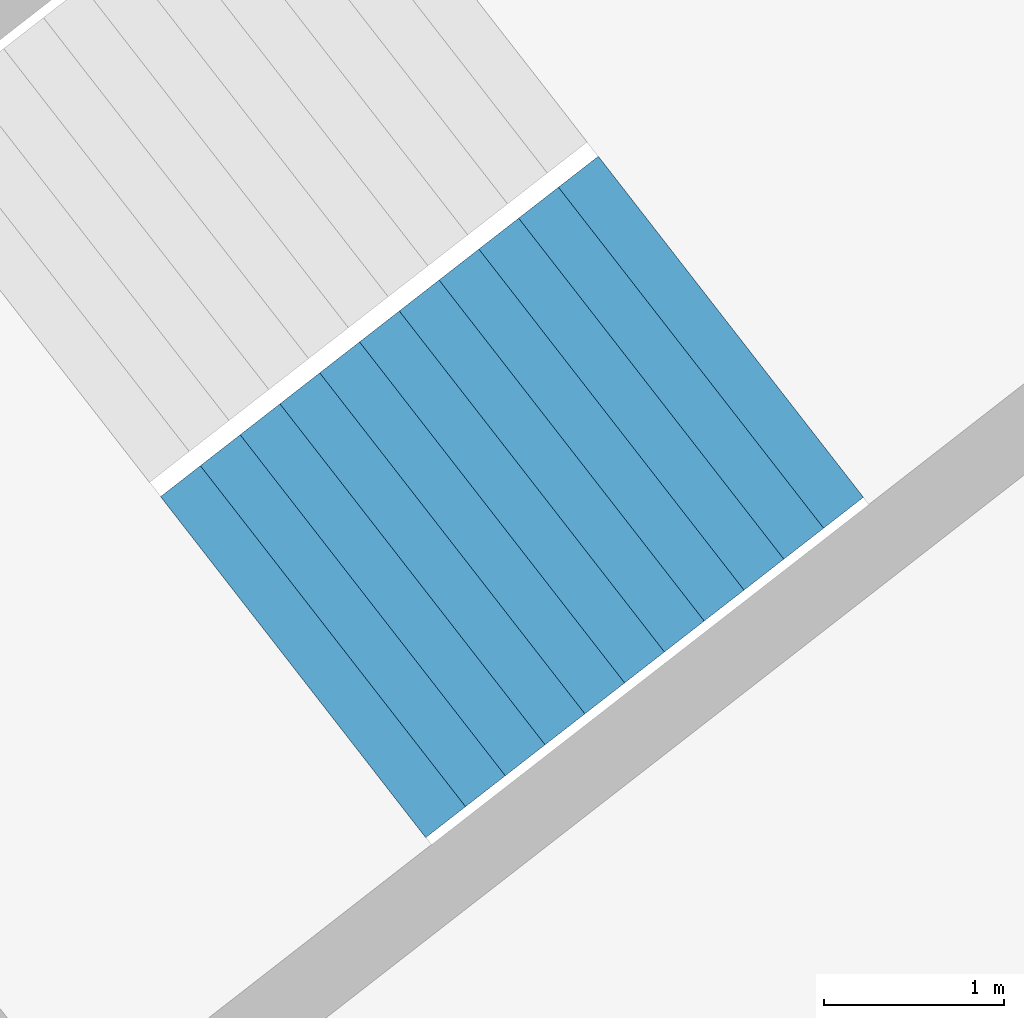
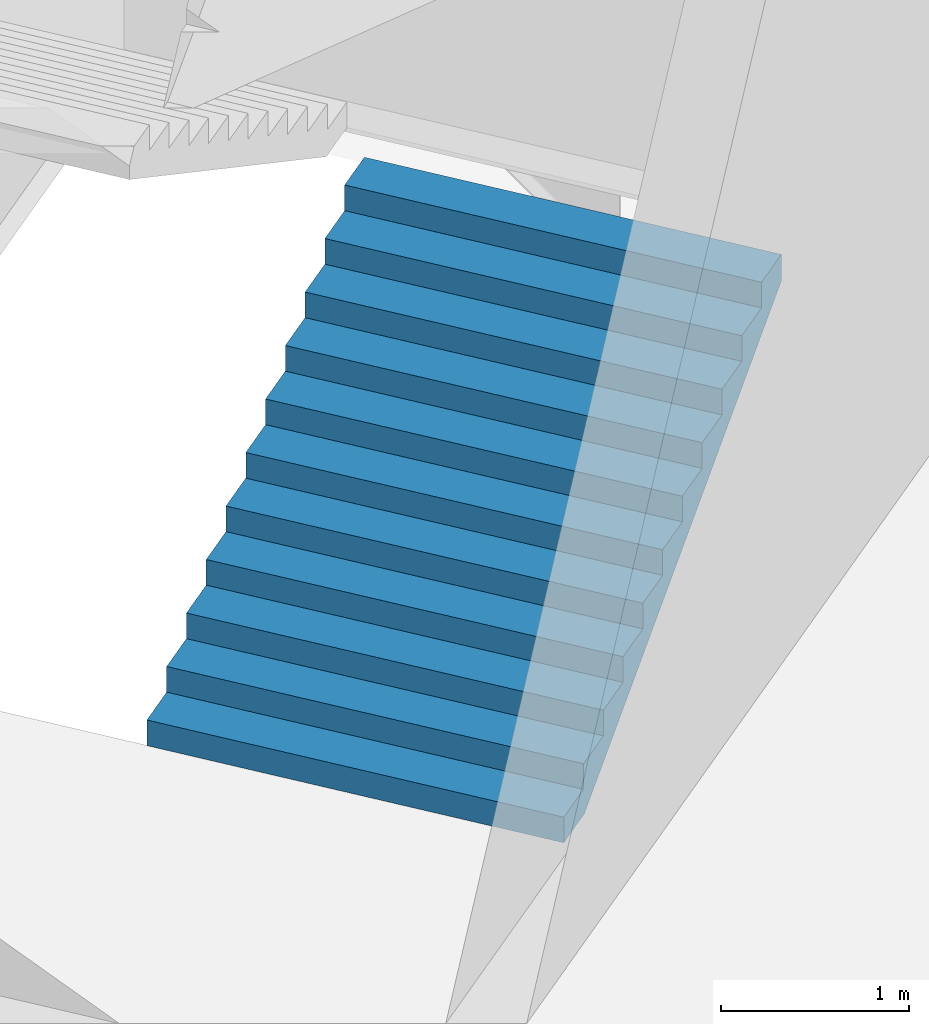
# One storey, part 62 of 74: 1 stair flight, 1 element without a shape of its own.
"""IFC4 building model written with IfcOpenShell, lengths in metres."""

from ifc_helpers import new_model, si_unit, direction, frame, origin, place, context, subcontext, project, spatial, triangles, material, type_object, element, aggregate, save


model = new_model("IFC4")

# Units and contexts
model_context = context("Model", 3, precision=1e-05, world=origin(), true_north=direction((0.0, 1.0)))
body_context = subcontext(model_context, "Body", "Model", "MODEL_VIEW")
ifc_project = project(units=[si_unit("LENGTHUNIT", "METRE"), si_unit("AREAUNIT", "SQUARE_METRE"), si_unit("VOLUMEUNIT", "CUBIC_METRE"), si_unit("PLANEANGLEUNIT", "RADIAN"), si_unit("MASSUNIT", "GRAM", prefix="KILO")], contexts=[model_context])

# Site, building, storey
site_placement = place(None, origin())
site = spatial("IfcSite", under=ifc_project, at=site_placement, CompositionType="ELEMENT")
building_placement = place(site_placement, origin())
building = spatial("IfcBuilding", under=site, at=building_placement, Name="Lantaw Convention Tower", CompositionType="ELEMENT")
storey_placement = place(building_placement, frame((0.0, 0.0, 6.5)))
storey = spatial("IfcBuildingStorey", under=building, at=storey_placement, Name="L01", CompositionType="ELEMENT", Elevation=6.5)

# Stair, stair flight
ifc_material = material(Name="Concrete C35/45", Category="concrete")
stair_type = type_object("IfcStairType", Name="Exit stair 2400 riser 166.67 in 4 flights", PredefinedType="HALF_TURN_STAIR", material=ifc_material)
stair_placement = place(storey_placement, origin())
stair = element("IfcStair", 1, at=stair_placement, inside=storey, type_object=stair_type, Name="Podium exit stair P3 L01", PredefinedType="HALF_TURN_STAIR")
stair_flight_type = type_object("IfcStairFlightType", Name="Stair flight 2400 riser 166.67", PredefinedType="STRAIGHT", material=ifc_material)
stair_flight_placement = place(storey_placement, frame((29.494384765625, 21.3544921875, 0.0), z_axis=(0.0, 0.0, 1.0), x_axis=(0.789378829664, 0.613906396186, 0.0)))
stair_flight = element("IfcStairFlight", 2, at=stair_flight_placement, type_object=stair_flight_type, Name="P3 flight 1", NumberOfRisers=12, NumberOfTreads=11, PredefinedType="STRAIGHT", RiserHeight=0.166666667, TreadLength=0.28, context=body_context, shape_type="Tessellation", body=[
    triangles([(0.0, 1.199951171875, 0.0), (0.0, 1.199951171875, 0.166666667), (0.28, 1.199951171875, 0.0), (0.28, 1.199951171875, 0.166666667), (0.28, 1.199951171875, 0.333333334), (0.29307345806906726, 1.199951171875, 0.0), (0.29307345806906726, 1.199951171875, 0.333333334), (0.56, 1.199951171875, 0.15888484670522965), (0.56, 1.199951171875, 0.333333334), (0.56, 1.199951171875, 0.500000001), (0.8400000000000001, 1.199951171875, 0.3255515137052296), (0.8400000000000001, 1.199951171875, 0.500000001), (0.8400000000000001, 1.199951171875, 0.666666668), (1.12, 1.199951171875, 0.4922181807052296), (1.12, 1.199951171875, 0.666666668), (1.12, 1.199951171875, 0.833333335), (1.4000000000000001, 1.199951171875, 0.6588848477052296), (1.4000000000000001, 1.199951171875, 0.833333335), (1.4000000000000001, 1.199951171875, 1.000000002), (1.6800000000000002, 1.199951171875, 0.8255515147052296), (1.6800000000000002, 1.199951171875, 1.000000002), (1.6800000000000002, 1.199951171875, 1.166666669), (1.9600000000000002, 1.199951171875, 0.9922181817052296), (1.9600000000000002, 1.199951171875, 1.166666669), (1.9600000000000002, 1.199951171875, 1.333333336), (2.24, 1.199951171875, 1.1588848487052295), (2.24, 1.199951171875, 1.333333336), (2.24, 1.199951171875, 1.5000000029999998), (2.5200000000000005, 1.199951171875, 1.3255515157052296), (2.5200000000000005, 1.199951171875, 1.5000000029999998), (2.5200000000000005, 1.199951171875, 1.66666667), (2.8000000000000003, 1.199951171875, 1.4922181827052294), (2.8000000000000003, 1.199951171875, 1.66666667), (2.8000000000000003, 1.199951171875, 1.833333337), (3.08, 1.199951171875, 1.6588848497052293), (3.08, 1.199951171875, 1.833333337), (0.0, -1.199951171875, 0.0), (0.0, -1.199951171875, 0.166666667), (0.28, -1.199951171875, 0.0), (0.28, -1.199951171875, 0.166666667), (0.28, -1.199951171875, 0.333333334), (0.29307345806906726, -1.199951171875, 0.0), (0.29307345806906726, -1.199951171875, 0.333333334), (0.56, -1.199951171875, 0.15888484670522965), (0.56, -1.199951171875, 0.333333334), (0.56, -1.199951171875, 0.500000001), (0.8400000000000001, -1.199951171875, 0.3255515137052296), (0.8400000000000001, -1.199951171875, 0.500000001), (0.8400000000000001, -1.199951171875, 0.666666668), (1.12, -1.199951171875, 0.4922181807052296), (1.12, -1.199951171875, 0.666666668), (1.12, -1.199951171875, 0.833333335), (1.4000000000000001, -1.199951171875, 0.6588848477052296), (1.4000000000000001, -1.199951171875, 0.833333335), (1.4000000000000001, -1.199951171875, 1.000000002), (1.6800000000000002, -1.199951171875, 0.8255515147052296), (1.6800000000000002, -1.199951171875, 1.000000002), (1.6800000000000002, -1.199951171875, 1.166666669), (1.9600000000000002, -1.199951171875, 0.9922181817052296), (1.9600000000000002, -1.199951171875, 1.166666669), (1.9600000000000002, -1.199951171875, 1.333333336), (2.24, -1.199951171875, 1.1588848487052295), (2.24, -1.199951171875, 1.333333336), (2.24, -1.199951171875, 1.5000000029999998), (2.5200000000000005, -1.199951171875, 1.3255515157052296), (2.5200000000000005, -1.199951171875, 1.5000000029999998), (2.5200000000000005, -1.199951171875, 1.66666667), (2.8000000000000003, -1.199951171875, 1.4922181827052294), (2.8000000000000003, -1.199951171875, 1.66666667), (2.8000000000000003, -1.199951171875, 1.833333337), (3.08, -1.199951171875, 1.6588848497052293), (3.08, -1.199951171875, 1.833333337), (0.0, 0.239990234375, 0.166666667), (0.0, 0.239990234375, 0.0), (0.0, 0.1199951171875, 0.166666667), (0.0, 0.1199951171875, 0.0), (0.0, 0.0, 0.166666667), (0.0, 0.0, 0.0), (0.0, -0.1199951171875, 0.166666667), (0.0, -0.1199951171875, 0.0), (0.0, -0.239990234375, 0.166666667), (0.0, -0.239990234375, 0.0), (0.28, 0.239990234375, 0.333333334), (0.28, 0.239990234375, 0.166666667), (0.28, 0.1199951171875, 0.333333334), (0.28, 0.1199951171875, 0.166666667), (0.28, 0.0, 0.333333334), (0.28, 0.0, 0.166666667), (0.28, -0.1199951171875, 0.333333334), (0.28, -0.1199951171875, 0.166666667), (0.28, -0.239990234375, 0.333333334), (0.28, -0.239990234375, 0.166666667), (0.56, 0.239990234375, 0.500000001), (0.56, 0.239990234375, 0.333333334), (0.56, 0.1199951171875, 0.500000001), (0.56, 0.1199951171875, 0.333333334), (0.56, 0.0, 0.500000001), (0.56, 0.0, 0.333333334), (0.56, -0.1199951171875, 0.500000001), (0.56, -0.1199951171875, 0.333333334), (0.56, -0.239990234375, 0.500000001), (0.56, -0.239990234375, 0.333333334), (0.8400000000000001, 0.239990234375, 0.666666668), (0.8400000000000001, 0.239990234375, 0.500000001), (0.8400000000000001, 0.1199951171875, 0.666666668), (0.8400000000000001, 0.1199951171875, 0.500000001), (0.8400000000000001, 0.0, 0.666666668), (0.8400000000000001, 0.0, 0.500000001), (0.8400000000000001, -0.1199951171875, 0.666666668), (0.8400000000000001, -0.1199951171875, 0.500000001), (0.8400000000000001, -0.239990234375, 0.666666668), (0.8400000000000001, -0.239990234375, 0.500000001), (1.12, 0.239990234375, 0.833333335), (1.12, 0.239990234375, 0.666666668), (1.12, 0.1199951171875, 0.833333335), (1.12, 0.1199951171875, 0.666666668), (1.12, 0.0, 0.833333335), (1.12, 0.0, 0.666666668), (1.12, -0.1199951171875, 0.833333335), (1.12, -0.1199951171875, 0.666666668), (1.12, -0.239990234375, 0.833333335), (1.12, -0.239990234375, 0.666666668), (1.4000000000000001, 0.239990234375, 1.000000002), (1.4000000000000001, 0.239990234375, 0.833333335), (1.4000000000000001, 0.1199951171875, 1.000000002), (1.4000000000000001, 0.1199951171875, 0.833333335), (1.4000000000000001, 0.0, 1.000000002), (1.4000000000000001, 0.0, 0.833333335), (1.4000000000000001, -0.1199951171875, 1.000000002), (1.4000000000000001, -0.1199951171875, 0.833333335), (1.4000000000000001, -0.239990234375, 1.000000002), (1.4000000000000001, -0.239990234375, 0.833333335), (1.6800000000000002, 0.239990234375, 1.166666669), (1.6800000000000002, 0.239990234375, 1.000000002), (1.6800000000000002, 0.1199951171875, 1.166666669), (1.6800000000000002, 0.1199951171875, 1.000000002), (1.6800000000000002, 0.0, 1.166666669), (1.6800000000000002, 0.0, 1.000000002), (1.6800000000000002, -0.1199951171875, 1.166666669), (1.6800000000000002, -0.1199951171875, 1.000000002), (1.6800000000000002, -0.239990234375, 1.166666669), (1.6800000000000002, -0.239990234375, 1.000000002), (1.9600000000000002, 0.239990234375, 1.333333336), (1.9600000000000002, 0.239990234375, 1.166666669), (1.9600000000000002, 0.1199951171875, 1.333333336), (1.9600000000000002, 0.1199951171875, 1.166666669), (1.9600000000000002, 0.0, 1.333333336), (1.9600000000000002, 0.0, 1.166666669), (1.9600000000000002, -0.1199951171875, 1.333333336), (1.9600000000000002, -0.1199951171875, 1.166666669), (1.9600000000000002, -0.239990234375, 1.333333336), (1.9600000000000002, -0.239990234375, 1.166666669), (2.24, 0.239990234375, 1.5000000029999998), (2.24, 0.239990234375, 1.333333336), (2.24, 0.1199951171875, 1.5000000029999998), (2.24, 0.1199951171875, 1.333333336), (2.24, 0.0, 1.5000000029999998), (2.24, 0.0, 1.333333336), (2.24, -0.1199951171875, 1.5000000029999998), (2.24, -0.1199951171875, 1.333333336), (2.24, -0.239990234375, 1.5000000029999998), (2.24, -0.239990234375, 1.333333336), (2.5200000000000005, 0.239990234375, 1.66666667), (2.5200000000000005, 0.239990234375, 1.5000000029999998), (2.5200000000000005, 0.1199951171875, 1.66666667), (2.5200000000000005, 0.1199951171875, 1.5000000029999998), (2.5200000000000005, 0.0, 1.66666667), (2.5200000000000005, 0.0, 1.5000000029999998), (2.5200000000000005, -0.1199951171875, 1.66666667), (2.5200000000000005, -0.1199951171875, 1.5000000029999998), (2.5200000000000005, -0.239990234375, 1.66666667), (2.5200000000000005, -0.239990234375, 1.5000000029999998), (2.8000000000000003, 0.239990234375, 1.833333337), (2.8000000000000003, 0.239990234375, 1.66666667), (2.8000000000000003, 0.1199951171875, 1.833333337), (2.8000000000000003, 0.1199951171875, 1.66666667), (2.8000000000000003, 0.0, 1.833333337), (2.8000000000000003, 0.0, 1.66666667), (2.8000000000000003, -0.1199951171875, 1.833333337), (2.8000000000000003, -0.1199951171875, 1.66666667), (2.8000000000000003, -0.239990234375, 1.833333337), (2.8000000000000003, -0.239990234375, 1.66666667), (0.29307345806906726, 0.239990234375, 0.333333334), (0.29307345806906726, 0.1199951171875, 0.333333334), (0.29307345806906726, 0.0, 0.333333334), (0.29307345806906726, -0.1199951171875, 0.333333334), (0.29307345806906726, -0.239990234375, 0.333333334), (3.08, 0.239990234375, 1.833333337), (3.08, 0.1199951171875, 1.833333337), (3.08, 0.0, 1.833333337), (3.08, -0.1199951171875, 1.833333337), (3.08, -0.239990234375, 1.833333337), (3.08, 0.239990234375, 1.6588848497052293), (3.08, 0.1199951171875, 1.6588848497052293), (3.08, 0.0, 1.6588848497052293), (3.08, -0.1199951171875, 1.6588848497052293), (3.08, -0.239990234375, 1.6588848497052293), (2.8000000000000003, 0.239990234375, 1.4922181827052294), (2.8000000000000003, 0.1199951171875, 1.4922181827052294), (2.8000000000000003, 0.0, 1.4922181827052294), (2.8000000000000003, -0.1199951171875, 1.4922181827052294), (2.8000000000000003, -0.239990234375, 1.4922181827052294), (2.5200000000000005, 0.239990234375, 1.3255515157052296), (2.5200000000000005, 0.1199951171875, 1.3255515157052296), (2.5200000000000005, 0.0, 1.3255515157052296), (2.5200000000000005, -0.1199951171875, 1.3255515157052296), (2.5200000000000005, -0.239990234375, 1.3255515157052296), (2.24, 0.239990234375, 1.1588848487052295), (2.24, 0.1199951171875, 1.1588848487052295), (2.24, 0.0, 1.1588848487052295), (2.24, -0.1199951171875, 1.1588848487052295), (2.24, -0.239990234375, 1.1588848487052295), (1.9600000000000002, 0.239990234375, 0.9922181817052296), (1.9600000000000002, 0.1199951171875, 0.9922181817052296), (1.9600000000000002, 0.0, 0.9922181817052296), (1.9600000000000002, -0.1199951171875, 0.9922181817052296), (1.9600000000000002, -0.239990234375, 0.9922181817052296), (1.6800000000000002, 0.239990234375, 0.8255515147052296), (1.6800000000000002, 0.1199951171875, 0.8255515147052296), (1.6800000000000002, 0.0, 0.8255515147052296), (1.6800000000000002, -0.1199951171875, 0.8255515147052296), (1.6800000000000002, -0.239990234375, 0.8255515147052296), (1.4000000000000001, 0.239990234375, 0.6588848477052296), (1.4000000000000001, 0.1199951171875, 0.6588848477052296), (1.4000000000000001, 0.0, 0.6588848477052296), (1.4000000000000001, -0.1199951171875, 0.6588848477052296), (1.4000000000000001, -0.239990234375, 0.6588848477052296), (1.12, 0.239990234375, 0.4922181807052296), (1.12, 0.1199951171875, 0.4922181807052296), (1.12, 0.0, 0.4922181807052296), (1.12, -0.1199951171875, 0.4922181807052296), (1.12, -0.239990234375, 0.4922181807052296), (0.8400000000000001, 0.239990234375, 0.3255515137052296), (0.8400000000000001, 0.1199951171875, 0.3255515137052296), (0.8400000000000001, 0.0, 0.3255515137052296), (0.8400000000000001, -0.1199951171875, 0.3255515137052296), (0.8400000000000001, -0.239990234375, 0.3255515137052296), (0.56, 0.239990234375, 0.15888484670522965), (0.56, 0.1199951171875, 0.15888484670522965), (0.56, 0.0, 0.15888484670522965), (0.56, -0.1199951171875, 0.15888484670522965), (0.56, -0.239990234375, 0.15888484670522965), (0.29307345806906726, 0.239990234375, 0.0), (0.29307345806906726, 0.1199951171875, 0.0), (0.29307345806906726, 0.0, 0.0), (0.29307345806906726, -0.1199951171875, 0.0), (0.29307345806906726, -0.239990234375, 0.0), (0.28, 0.239990234375, 0.0), (0.28, 0.1199951171875, 0.0), (0.28, 0.0, 0.0), (0.28, -0.1199951171875, 0.0), (0.28, -0.239990234375, 0.0)], [[1, 4, 3], [1, 2, 4], [3, 4, 6], [4, 7, 6], [4, 5, 7], [6, 9, 8], [6, 7, 9], [8, 9, 11], [9, 12, 11], [9, 10, 12], [11, 12, 14], [12, 15, 14], [12, 13, 15], [14, 15, 17], [15, 18, 17], [15, 16, 18], [17, 18, 20], [18, 21, 20], [18, 19, 21], [20, 21, 23], [21, 24, 23], [21, 22, 24], [23, 24, 26], [24, 27, 26], [24, 25, 27], [26, 27, 29], [27, 30, 29], [27, 28, 30], [29, 30, 32], [30, 33, 32], [30, 31, 33], [32, 33, 35], [33, 36, 35], [33, 34, 36], [37, 39, 40], [37, 40, 38], [39, 42, 40], [40, 42, 43], [40, 43, 41], [42, 44, 45], [42, 45, 43], [44, 47, 45], [45, 47, 48], [45, 48, 46], [47, 50, 48], [48, 50, 51], [48, 51, 49], [50, 53, 51], [51, 53, 54], [51, 54, 52], [53, 56, 54], [54, 56, 57], [54, 57, 55], [56, 59, 57], [57, 59, 60], [57, 60, 58], [59, 62, 60], [60, 62, 63], [60, 63, 61], [62, 65, 63], [63, 65, 66], [63, 66, 64], [65, 68, 66], [66, 68, 69], [66, 69, 67], [68, 71, 69], [69, 71, 72], [69, 72, 70], [1, 73, 2], [1, 74, 73], [74, 75, 73], [74, 76, 75], [76, 77, 75], [76, 78, 77], [78, 79, 77], [78, 80, 79], [80, 81, 79], [80, 82, 81], [82, 38, 81], [82, 37, 38], [4, 83, 5], [4, 84, 83], [84, 85, 83], [84, 86, 85], [86, 87, 85], [86, 88, 87], [88, 89, 87], [88, 90, 89], [90, 91, 89], [90, 92, 91], [92, 41, 91], [92, 40, 41], [9, 93, 10], [9, 94, 93], [94, 95, 93], [94, 96, 95], [96, 97, 95], [96, 98, 97], [98, 99, 97], [98, 100, 99], [100, 101, 99], [100, 102, 101], [102, 46, 101], [102, 45, 46], [12, 103, 13], [12, 104, 103], [104, 105, 103], [104, 106, 105], [106, 107, 105], [106, 108, 107], [108, 109, 107], [108, 110, 109], [110, 111, 109], [110, 112, 111], [112, 49, 111], [112, 48, 49], [15, 113, 16], [15, 114, 113], [114, 115, 113], [114, 116, 115], [116, 117, 115], [116, 118, 117], [118, 119, 117], [118, 120, 119], [120, 121, 119], [120, 122, 121], [122, 52, 121], [122, 51, 52], [18, 123, 19], [18, 124, 123], [124, 125, 123], [124, 126, 125], [126, 127, 125], [126, 128, 127], [128, 129, 127], [128, 130, 129], [130, 131, 129], [130, 132, 131], [132, 55, 131], [132, 54, 55], [21, 133, 22], [21, 134, 133], [134, 135, 133], [134, 136, 135], [136, 137, 135], [136, 138, 137], [138, 139, 137], [138, 140, 139], [140, 141, 139], [140, 142, 141], [142, 58, 141], [142, 57, 58], [24, 143, 25], [24, 144, 143], [144, 145, 143], [144, 146, 145], [146, 147, 145], [146, 148, 147], [148, 149, 147], [148, 150, 149], [150, 151, 149], [150, 152, 151], [152, 61, 151], [152, 60, 61], [27, 153, 28], [27, 154, 153], [154, 155, 153], [154, 156, 155], [156, 157, 155], [156, 158, 157], [158, 159, 157], [158, 160, 159], [160, 161, 159], [160, 162, 161], [162, 64, 161], [162, 63, 64], [30, 163, 31], [30, 164, 163], [164, 165, 163], [164, 166, 165], [166, 167, 165], [166, 168, 167], [168, 169, 167], [168, 170, 169], [170, 171, 169], [170, 172, 171], [172, 67, 171], [172, 66, 67], [33, 173, 34], [33, 174, 173], [174, 175, 173], [174, 176, 175], [176, 177, 175], [176, 178, 177], [178, 179, 177], [178, 180, 179], [180, 181, 179], [180, 182, 181], [182, 70, 181], [182, 69, 70], [2, 84, 4], [2, 73, 84], [73, 86, 84], [73, 75, 86], [75, 88, 86], [75, 77, 88], [77, 90, 88], [77, 79, 90], [79, 92, 90], [79, 81, 92], [81, 40, 92], [81, 38, 40], [5, 183, 7], [5, 83, 183], [83, 184, 183], [83, 85, 184], [85, 185, 184], [85, 87, 185], [87, 186, 185], [87, 89, 186], [89, 187, 186], [89, 91, 187], [91, 43, 187], [91, 41, 43], [7, 94, 9], [7, 183, 94], [183, 96, 94], [183, 184, 96], [184, 98, 96], [184, 185, 98], [185, 100, 98], [185, 186, 100], [186, 102, 100], [186, 187, 102], [187, 45, 102], [187, 43, 45], [10, 104, 12], [10, 93, 104], [93, 106, 104], [93, 95, 106], [95, 108, 106], [95, 97, 108], [97, 110, 108], [97, 99, 110], [99, 112, 110], [99, 101, 112], [101, 48, 112], [101, 46, 48], [13, 114, 15], [13, 103, 114], [103, 116, 114], [103, 105, 116], [105, 118, 116], [105, 107, 118], [107, 120, 118], [107, 109, 120], [109, 122, 120], [109, 111, 122], [111, 51, 122], [111, 49, 51], [16, 124, 18], [16, 113, 124], [113, 126, 124], [113, 115, 126], [115, 128, 126], [115, 117, 128], [117, 130, 128], [117, 119, 130], [119, 132, 130], [119, 121, 132], [121, 54, 132], [121, 52, 54], [19, 134, 21], [19, 123, 134], [123, 136, 134], [123, 125, 136], [125, 138, 136], [125, 127, 138], [127, 140, 138], [127, 129, 140], [129, 142, 140], [129, 131, 142], [131, 57, 142], [131, 55, 57], [22, 144, 24], [22, 133, 144], [133, 146, 144], [133, 135, 146], [135, 148, 146], [135, 137, 148], [137, 150, 148], [137, 139, 150], [139, 152, 150], [139, 141, 152], [141, 60, 152], [141, 58, 60], [25, 154, 27], [25, 143, 154], [143, 156, 154], [143, 145, 156], [145, 158, 156], [145, 147, 158], [147, 160, 158], [147, 149, 160], [149, 162, 160], [149, 151, 162], [151, 63, 162], [151, 61, 63], [28, 164, 30], [28, 153, 164], [153, 166, 164], [153, 155, 166], [155, 168, 166], [155, 157, 168], [157, 170, 168], [157, 159, 170], [159, 172, 170], [159, 161, 172], [161, 66, 172], [161, 64, 66], [31, 174, 33], [31, 163, 174], [163, 176, 174], [163, 165, 176], [165, 178, 176], [165, 167, 178], [167, 180, 178], [167, 169, 180], [169, 182, 180], [169, 171, 182], [171, 69, 182], [171, 67, 69], [34, 188, 36], [34, 173, 188], [173, 189, 188], [173, 175, 189], [175, 190, 189], [175, 177, 190], [177, 191, 190], [177, 179, 191], [179, 192, 191], [179, 181, 192], [181, 72, 192], [181, 70, 72], [36, 193, 35], [36, 188, 193], [188, 194, 193], [188, 189, 194], [189, 195, 194], [189, 190, 195], [190, 196, 195], [190, 191, 196], [191, 197, 196], [191, 192, 197], [192, 71, 197], [192, 72, 71], [35, 198, 32], [35, 193, 198], [193, 199, 198], [193, 194, 199], [194, 200, 199], [194, 195, 200], [195, 201, 200], [195, 196, 201], [196, 202, 201], [196, 197, 202], [197, 68, 202], [197, 71, 68], [32, 203, 29], [32, 198, 203], [198, 204, 203], [198, 199, 204], [199, 205, 204], [199, 200, 205], [200, 206, 205], [200, 201, 206], [201, 207, 206], [201, 202, 207], [202, 65, 207], [202, 68, 65], [29, 208, 26], [29, 203, 208], [203, 209, 208], [203, 204, 209], [204, 210, 209], [204, 205, 210], [205, 211, 210], [205, 206, 211], [206, 212, 211], [206, 207, 212], [207, 62, 212], [207, 65, 62], [26, 213, 23], [26, 208, 213], [208, 214, 213], [208, 209, 214], [209, 215, 214], [209, 210, 215], [210, 216, 215], [210, 211, 216], [211, 217, 216], [211, 212, 217], [212, 59, 217], [212, 62, 59], [23, 218, 20], [23, 213, 218], [213, 219, 218], [213, 214, 219], [214, 220, 219], [214, 215, 220], [215, 221, 220], [215, 216, 221], [216, 222, 221], [216, 217, 222], [217, 56, 222], [217, 59, 56], [20, 223, 17], [20, 218, 223], [218, 224, 223], [218, 219, 224], [219, 225, 224], [219, 220, 225], [220, 226, 225], [220, 221, 226], [221, 227, 226], [221, 222, 227], [222, 53, 227], [222, 56, 53], [17, 228, 14], [17, 223, 228], [223, 229, 228], [223, 224, 229], [224, 230, 229], [224, 225, 230], [225, 231, 230], [225, 226, 231], [226, 232, 231], [226, 227, 232], [227, 50, 232], [227, 53, 50], [14, 233, 11], [14, 228, 233], [228, 234, 233], [228, 229, 234], [229, 235, 234], [229, 230, 235], [230, 236, 235], [230, 231, 236], [231, 237, 236], [231, 232, 237], [232, 47, 237], [232, 50, 47], [11, 238, 8], [11, 233, 238], [233, 239, 238], [233, 234, 239], [234, 240, 239], [234, 235, 240], [235, 241, 240], [235, 236, 241], [236, 242, 241], [236, 237, 242], [237, 44, 242], [237, 47, 44], [8, 243, 6], [8, 238, 243], [238, 244, 243], [238, 239, 244], [239, 245, 244], [239, 240, 245], [240, 246, 245], [240, 241, 246], [241, 247, 246], [241, 242, 247], [242, 42, 247], [242, 44, 42], [6, 248, 3], [6, 243, 248], [243, 249, 248], [243, 244, 249], [244, 250, 249], [244, 245, 250], [245, 251, 250], [245, 246, 251], [246, 252, 251], [246, 247, 252], [247, 39, 252], [247, 42, 39], [3, 74, 1], [3, 248, 74], [248, 76, 74], [248, 249, 76], [249, 78, 76], [249, 250, 78], [250, 80, 78], [250, 251, 80], [251, 82, 80], [251, 252, 82], [252, 37, 82], [252, 39, 37]], closed=True),
])
aggregate(stair, [stair_flight])

save(model, "model.ifc")
